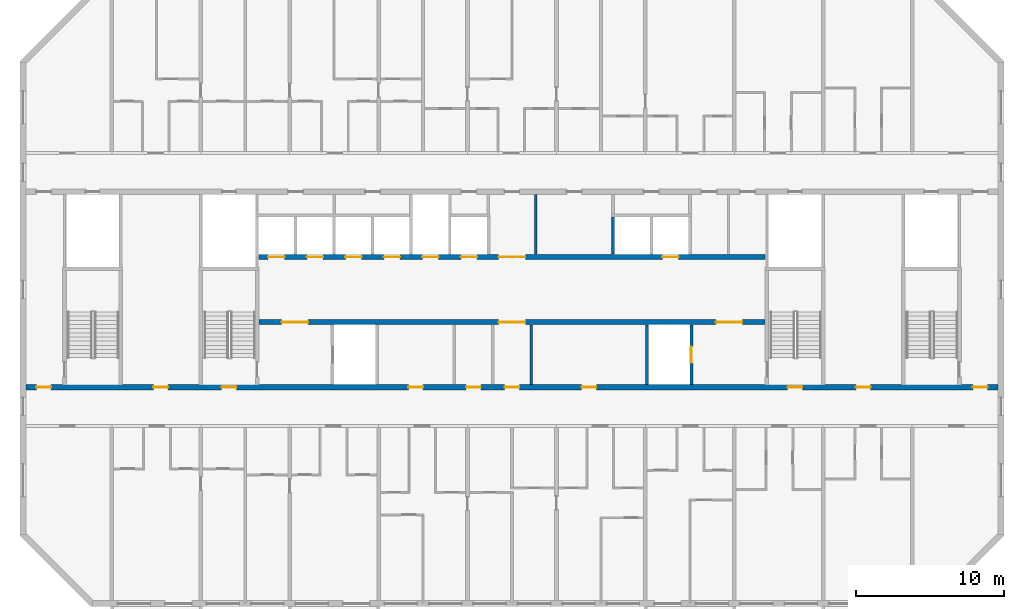
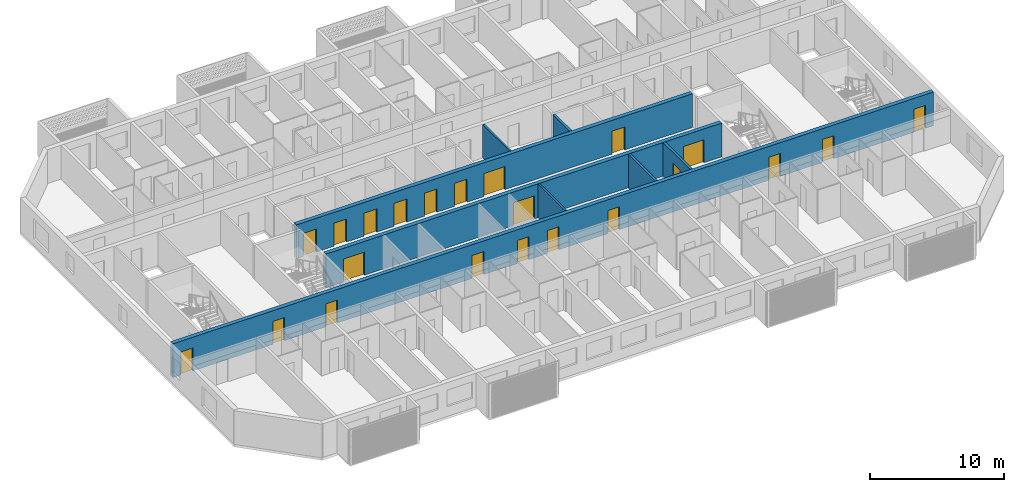
# One storey, part 6 of 26: 22 doors, 8 walls, 22 openings.
"""IFC4 building model written with IfcOpenShell, lengths in metres."""

from ifc_helpers import new_model, si_unit, direction, frame, frame_2d, origin, place, context, subcontext, project, spatial, rectangle, extrude, material, layer, layer_set, type_object, element, fill, save


model = new_model("IFC4")

# Units and contexts
model_context = context("Model", 3, precision=1e-05, world=origin(), true_north=direction((0.0, 1.0)))
body_context = subcontext(model_context, "Body", "Model", "MODEL_VIEW")
ifc_project = project(units=[si_unit("LENGTHUNIT", "METRE"), si_unit("AREAUNIT", "SQUARE_METRE"), si_unit("VOLUMEUNIT", "CUBIC_METRE"), si_unit("PLANEANGLEUNIT", "RADIAN"), si_unit("MASSUNIT", "GRAM", prefix="KILO")], contexts=[model_context])

# Site, building, storey
site_placement = place(None, origin())
site = spatial("IfcSite", under=ifc_project, at=site_placement, CompositionType="ELEMENT")
building_placement = place(site_placement, origin())
building = spatial("IfcBuilding", under=site, at=building_placement, Name="Poui Terraces", CompositionType="ELEMENT")
storey_placement = place(building_placement, frame((0.0, 0.0, 247.800048828125)))
storey = spatial("IfcBuildingStorey", under=building, at=storey_placement, Name="L69", CompositionType="ELEMENT", Elevation=247.800048828125)

# Wall, openings, doors
ifc_material_1 = material(Name="Concrete 50 MPa", Category="concrete")
ifc_layer_1 = layer(ifc_material_1, 0.35009765625)
ifc_layer_set_1 = layer_set([ifc_layer_1], Name="Concrete 50 MPa")
wall_type_1 = type_object("IfcWallType", Name="CORE WALL 350 50 MPA", PredefinedType="SOLIDWALL", material=ifc_layer_set_1)
wall_1_placement = place(storey_placement, frame((33.925048828125, 19.0, 0.0), z_axis=(0.0, 0.0, 1.0), x_axis=(1.0, 0.0, 0.0)))
wall_1 = element("IfcWall", 1, at=wall_1_placement, inside=storey, type_object=wall_type_1, Name="CORE WALL", PredefinedType="SOLIDWALL", context=body_context, shape_type="SweptSolid", body=[
    extrude(rectangle(XDim=34.14990234375, YDim=0.35009765625, at=frame_2d((17.074951171875, 0.0))), origin(), (0.0, 0.0, 1.0), 3.079833984375),
])
opening_1_placement = place(wall_1_placement, frame((16.175048828125, 0.0, 0.0)))
opening_1 = element("IfcOpeningElement", 2, at=opening_1_placement, cuts=wall_1, Name="Opening FDD60", PredefinedType="OPENING", context=body_context, shape_type="SweptSolid", body=[
    extrude(rectangle(XDim=1.800048828125, YDim=2.10009765625, at=frame_2d((0.89990234375, 1.050048828125))), frame((0.0, 0.18505859375, 0.0), z_axis=(0.0, -1.0, 0.0), x_axis=(1.0, 0.0, 0.0)), (0.0, 0.0, 1.0), 0.3701171875),
])
opening_2_placement = place(wall_1_placement, frame((1.52490234375, 0.0, 0.0)))
opening_2 = element("IfcOpeningElement", 3, at=opening_2_placement, cuts=wall_1, Name="Opening FDD60", PredefinedType="OPENING", context=body_context, shape_type="SweptSolid", body=[
    extrude(rectangle(XDim=1.800048828125, YDim=2.10009765625, at=frame_2d((0.89990234375, 1.050048828125))), frame((0.0, 0.18505859375, 0.0), z_axis=(0.0, -1.0, 0.0), x_axis=(1.0, 0.0, 0.0)), (0.0, 0.0, 1.0), 0.3701171875),
])
opening_3_placement = place(wall_1_placement, frame((30.824951171875, 0.0, 0.0)))
opening_3 = element("IfcOpeningElement", 4, at=opening_3_placement, cuts=wall_1, Name="Opening FDD60", PredefinedType="OPENING", context=body_context, shape_type="SweptSolid", body=[
    extrude(rectangle(XDim=1.800048828125, YDim=2.10009765625, at=frame_2d((0.89990234375, 1.050048828125))), frame((0.0, 0.18505859375, 0.0), z_axis=(0.0, -1.0, 0.0), x_axis=(1.0, 0.0, 0.0)), (0.0, 0.0, 1.0), 0.3701171875),
])
ifc_material_2 = material(Name="Steel fire door", Category="steel")
door_type_1 = type_object("IfcDoorType", Name="DOUBLE LOBBY FIRE DOOR 1800 X 2100", OperationType="DOUBLE_DOOR_SINGLE_SWING", PredefinedType="DOOR", material=ifc_material_2)
door_1_placement = place(opening_1_placement, frame((1.800048828125, 0.0, 0.0), z_axis=(0.0, 0.0, 1.0), x_axis=(-1.0, 0.0, 0.0)))
door_1 = element("IfcDoor", 5, at=door_1_placement, inside=storey, type_object=door_type_1, Name="DOUBLE LOBBY FIRE DOOR 100", OperationType="DOUBLE_DOOR_SINGLE_SWING", OverallHeight=2.10009765625, OverallWidth=1.800048828125, PredefinedType="DOOR", context=body_context, shape_type="SweptSolid", body=[
    extrude(rectangle(XDim=1.800048828125, YDim=2.10009765625, at=frame_2d((0.89990234375, 1.050048828125))), frame((0.0, 0.02490234375, 0.0), z_axis=(0.0, -1.0, 0.0), x_axis=(1.0, 0.0, 0.0)), (0.0, 0.0, 1.0), 0.050048828125),
])
fill(opening_1, door_1)
door_2_placement = place(opening_2_placement, origin())
door_2 = element("IfcDoor", 6, at=door_2_placement, inside=storey, type_object=door_type_1, Name="DOUBLE LOBBY FIRE DOOR 102", OperationType="DOUBLE_DOOR_SINGLE_SWING", OverallHeight=2.10009765625, OverallWidth=1.800048828125, PredefinedType="DOOR", context=body_context, shape_type="SweptSolid", body=[
    extrude(rectangle(XDim=1.800048828125, YDim=2.10009765625, at=frame_2d((0.89990234375, 1.050048828125))), frame((0.0, 0.02490234375, 0.0), z_axis=(0.0, -1.0, 0.0), x_axis=(1.0, 0.0, 0.0)), (0.0, 0.0, 1.0), 0.050048828125),
])
fill(opening_2, door_2)
door_3_placement = place(opening_3_placement, origin())
door_3 = element("IfcDoor", 7, at=door_3_placement, inside=storey, type_object=door_type_1, Name="DOUBLE LOBBY FIRE DOOR 109", OperationType="DOUBLE_DOOR_SINGLE_SWING", OverallHeight=2.10009765625, OverallWidth=1.800048828125, PredefinedType="DOOR", context=body_context, shape_type="SweptSolid", body=[
    extrude(rectangle(XDim=1.800048828125, YDim=2.10009765625, at=frame_2d((0.89990234375, 1.050048828125))), frame((0.0, 0.02490234375, 0.0), z_axis=(0.0, -1.0, 0.0), x_axis=(1.0, 0.0, 0.0)), (0.0, 0.0, 1.0), 0.050048828125),
])
fill(opening_3, door_3)

wall_2_placement = place(storey_placement, frame((33.925048828125, 23.39990234375, 0.0), z_axis=(0.0, 0.0, 1.0), x_axis=(1.0, 0.0, 0.0)))
wall_2 = element("IfcWall", 8, at=wall_2_placement, inside=storey, type_object=wall_type_1, Name="CORE WALL", PredefinedType="SOLIDWALL", context=body_context, shape_type="SweptSolid", body=[
    extrude(rectangle(XDim=34.14990234375, YDim=0.35009765625, at=frame_2d((17.074951171875, 0.0))), origin(), (0.0, 0.0, 1.0), 3.079833984375),
])
opening_4_placement = place(wall_2_placement, frame((16.175048828125, 0.0, 0.0)))
opening_4 = element("IfcOpeningElement", 9, at=opening_4_placement, cuts=wall_2, Name="Opening FDD60", PredefinedType="OPENING", context=body_context, shape_type="SweptSolid", body=[
    extrude(rectangle(XDim=1.800048828125, YDim=2.10009765625, at=frame_2d((0.89990234375, 1.050048828125))), frame((0.0, 0.18505859375, 0.0), z_axis=(0.0, -1.0, 0.0), x_axis=(1.0, 0.0, 0.0)), (0.0, 0.0, 1.0), 0.3701171875),
])
opening_5_placement = place(wall_2_placement, frame((0.625, 0.0, 0.0)))
opening_5 = element("IfcOpeningElement", 10, at=opening_5_placement, cuts=wall_2, Name="Opening LD", PredefinedType="OPENING", context=body_context, shape_type="SweptSolid", body=[
    extrude(rectangle(XDim=1.10009765625, YDim=2.10009765625, at=frame_2d((0.550048828125, 1.050048828125))), frame((0.0, 0.18505859375, 0.0), z_axis=(0.0, -1.0, 0.0), x_axis=(1.0, 0.0, 0.0)), (0.0, 0.0, 1.0), 0.3701171875),
])
opening_6_placement = place(wall_2_placement, frame((3.22509765625, 0.0, 0.0)))
opening_6 = element("IfcOpeningElement", 11, at=opening_6_placement, cuts=wall_2, Name="Opening LD", PredefinedType="OPENING", context=body_context, shape_type="SweptSolid", body=[
    extrude(rectangle(XDim=1.10009765625, YDim=2.10009765625, at=frame_2d((0.550048828125, 1.050048828125))), frame((0.0, 0.18505859375, 0.0), z_axis=(0.0, -1.0, 0.0), x_axis=(1.0, 0.0, 0.0)), (0.0, 0.0, 1.0), 0.3701171875),
])
opening_7_placement = place(wall_2_placement, frame((5.824951171875, 0.0, 0.0)))
opening_7 = element("IfcOpeningElement", 12, at=opening_7_placement, cuts=wall_2, Name="Opening LD", PredefinedType="OPENING", context=body_context, shape_type="SweptSolid", body=[
    extrude(rectangle(XDim=1.10009765625, YDim=2.10009765625, at=frame_2d((0.550048828125, 1.050048828125))), frame((0.0, 0.18505859375, 0.0), z_axis=(0.0, -1.0, 0.0), x_axis=(1.0, 0.0, 0.0)), (0.0, 0.0, 1.0), 0.3701171875),
])
opening_8_placement = place(wall_2_placement, frame((8.425048828125, 0.0, 0.0)))
opening_8 = element("IfcOpeningElement", 13, at=opening_8_placement, cuts=wall_2, Name="Opening LD", PredefinedType="OPENING", context=body_context, shape_type="SweptSolid", body=[
    extrude(rectangle(XDim=1.10009765625, YDim=2.10009765625, at=frame_2d((0.550048828125, 1.050048828125))), frame((0.0, 0.18505859375, 0.0), z_axis=(0.0, -1.0, 0.0), x_axis=(1.0, 0.0, 0.0)), (0.0, 0.0, 1.0), 0.3701171875),
])
opening_9_placement = place(wall_2_placement, frame((11.02490234375, 0.0, 0.0)))
opening_9 = element("IfcOpeningElement", 14, at=opening_9_placement, cuts=wall_2, Name="Opening LD", PredefinedType="OPENING", context=body_context, shape_type="SweptSolid", body=[
    extrude(rectangle(XDim=1.10009765625, YDim=2.10009765625, at=frame_2d((0.550048828125, 1.050048828125))), frame((0.0, 0.18505859375, 0.0), z_axis=(0.0, -1.0, 0.0), x_axis=(1.0, 0.0, 0.0)), (0.0, 0.0, 1.0), 0.3701171875),
])
opening_10_placement = place(wall_2_placement, frame((13.625, 0.0, 0.0)))
opening_10 = element("IfcOpeningElement", 15, at=opening_10_placement, cuts=wall_2, Name="Opening LD", PredefinedType="OPENING", context=body_context, shape_type="SweptSolid", body=[
    extrude(rectangle(XDim=1.10009765625, YDim=2.10009765625, at=frame_2d((0.550048828125, 1.050048828125))), frame((0.0, 0.18505859375, 0.0), z_axis=(0.0, -1.0, 0.0), x_axis=(1.0, 0.0, 0.0)), (0.0, 0.0, 1.0), 0.3701171875),
])
opening_11_placement = place(wall_2_placement, frame((27.22509765625, 0.0, 0.0)))
opening_11 = element("IfcOpeningElement", 16, at=opening_11_placement, cuts=wall_2, Name="Opening LD", PredefinedType="OPENING", context=body_context, shape_type="SweptSolid", body=[
    extrude(rectangle(XDim=1.10009765625, YDim=2.10009765625, at=frame_2d((0.550048828125, 1.050048828125))), frame((0.0, 0.18505859375, 0.0), z_axis=(0.0, -1.0, 0.0), x_axis=(1.0, 0.0, 0.0)), (0.0, 0.0, 1.0), 0.3701171875),
])
door_4_placement = place(opening_4_placement, origin())
door_4 = element("IfcDoor", 17, at=door_4_placement, inside=storey, type_object=door_type_1, Name="DOUBLE LOBBY FIRE DOOR 099", OperationType="DOUBLE_DOOR_SINGLE_SWING", OverallHeight=2.10009765625, OverallWidth=1.800048828125, PredefinedType="DOOR", context=body_context, shape_type="SweptSolid", body=[
    extrude(rectangle(XDim=1.800048828125, YDim=2.10009765625, at=frame_2d((0.89990234375, 1.050048828125))), frame((0.0, 0.02490234375, 0.0), z_axis=(0.0, -1.0, 0.0), x_axis=(1.0, 0.0, 0.0)), (0.0, 0.0, 1.0), 0.050048828125),
])
fill(opening_4, door_4)
ifc_material_3 = material(Name="Stainless steel sliding door", Category="steel")
door_type_2 = type_object("IfcDoorType", Name="LIFT LANDING DOOR 1100 X 2100", OperationType="DOUBLE_DOOR_SLIDING", PredefinedType="DOOR", material=ifc_material_3)
door_5_placement = place(opening_5_placement, origin())
door_5 = element("IfcDoor", 18, at=door_5_placement, inside=storey, type_object=door_type_2, Name="LANDING DOOR", OperationType="DOUBLE_DOOR_SLIDING", OverallHeight=2.10009765625, OverallWidth=1.10009765625, PredefinedType="DOOR", context=body_context, shape_type="SweptSolid", body=[
    extrude(rectangle(XDim=1.10009765625, YDim=2.10009765625, at=frame_2d((0.550048828125, 1.050048828125))), frame((0.0, 0.02490234375, 0.0), z_axis=(0.0, -1.0, 0.0), x_axis=(1.0, 0.0, 0.0)), (0.0, 0.0, 1.0), 0.050048828125),
])
fill(opening_5, door_5)
door_6_placement = place(opening_6_placement, origin())
door_6 = element("IfcDoor", 19, at=door_6_placement, inside=storey, type_object=door_type_2, Name="LANDING DOOR", OperationType="DOUBLE_DOOR_SLIDING", OverallHeight=2.10009765625, OverallWidth=1.10009765625, PredefinedType="DOOR", context=body_context, shape_type="SweptSolid", body=[
    extrude(rectangle(XDim=1.10009765625, YDim=2.10009765625, at=frame_2d((0.550048828125, 1.050048828125))), frame((0.0, 0.02490234375, 0.0), z_axis=(0.0, -1.0, 0.0), x_axis=(1.0, 0.0, 0.0)), (0.0, 0.0, 1.0), 0.050048828125),
])
fill(opening_6, door_6)
door_7_placement = place(opening_7_placement, origin())
door_7 = element("IfcDoor", 20, at=door_7_placement, inside=storey, type_object=door_type_2, Name="LANDING DOOR", OperationType="DOUBLE_DOOR_SLIDING", OverallHeight=2.10009765625, OverallWidth=1.10009765625, PredefinedType="DOOR", context=body_context, shape_type="SweptSolid", body=[
    extrude(rectangle(XDim=1.10009765625, YDim=2.10009765625, at=frame_2d((0.550048828125, 1.050048828125))), frame((0.0, 0.02490234375, 0.0), z_axis=(0.0, -1.0, 0.0), x_axis=(1.0, 0.0, 0.0)), (0.0, 0.0, 1.0), 0.050048828125),
])
fill(opening_7, door_7)
door_8_placement = place(opening_8_placement, origin())
door_8 = element("IfcDoor", 21, at=door_8_placement, inside=storey, type_object=door_type_2, Name="LANDING DOOR", OperationType="DOUBLE_DOOR_SLIDING", OverallHeight=2.10009765625, OverallWidth=1.10009765625, PredefinedType="DOOR", context=body_context, shape_type="SweptSolid", body=[
    extrude(rectangle(XDim=1.10009765625, YDim=2.10009765625, at=frame_2d((0.550048828125, 1.050048828125))), frame((0.0, 0.02490234375, 0.0), z_axis=(0.0, -1.0, 0.0), x_axis=(1.0, 0.0, 0.0)), (0.0, 0.0, 1.0), 0.050048828125),
])
fill(opening_8, door_8)
door_9_placement = place(opening_9_placement, origin())
door_9 = element("IfcDoor", 22, at=door_9_placement, inside=storey, type_object=door_type_2, Name="LANDING DOOR", OperationType="DOUBLE_DOOR_SLIDING", OverallHeight=2.10009765625, OverallWidth=1.10009765625, PredefinedType="DOOR", context=body_context, shape_type="SweptSolid", body=[
    extrude(rectangle(XDim=1.10009765625, YDim=2.10009765625, at=frame_2d((0.550048828125, 1.050048828125))), frame((0.0, 0.02490234375, 0.0), z_axis=(0.0, -1.0, 0.0), x_axis=(1.0, 0.0, 0.0)), (0.0, 0.0, 1.0), 0.050048828125),
])
fill(opening_9, door_9)
door_10_placement = place(opening_10_placement, origin())
door_10 = element("IfcDoor", 23, at=door_10_placement, inside=storey, type_object=door_type_2, Name="LANDING DOOR", OperationType="DOUBLE_DOOR_SLIDING", OverallHeight=2.10009765625, OverallWidth=1.10009765625, PredefinedType="DOOR", context=body_context, shape_type="SweptSolid", body=[
    extrude(rectangle(XDim=1.10009765625, YDim=2.10009765625, at=frame_2d((0.550048828125, 1.050048828125))), frame((0.0, 0.02490234375, 0.0), z_axis=(0.0, -1.0, 0.0), x_axis=(1.0, 0.0, 0.0)), (0.0, 0.0, 1.0), 0.050048828125),
])
fill(opening_10, door_10)
door_11_placement = place(opening_11_placement, origin())
door_11 = element("IfcDoor", 24, at=door_11_placement, inside=storey, type_object=door_type_2, Name="LANDING DOOR", OperationType="DOUBLE_DOOR_SLIDING", OverallHeight=2.10009765625, OverallWidth=1.10009765625, PredefinedType="DOOR", context=body_context, shape_type="SweptSolid", body=[
    extrude(rectangle(XDim=1.10009765625, YDim=2.10009765625, at=frame_2d((0.550048828125, 1.050048828125))), frame((0.0, 0.02490234375, 0.0), z_axis=(0.0, -1.0, 0.0), x_axis=(1.0, 0.0, 0.0)), (0.0, 0.0, 1.0), 0.050048828125),
])
fill(opening_11, door_11)

# Walls
ifc_material_4 = material(Name="Fire-rated plasterboard wall")
ifc_layer_2 = layer(ifc_material_4, 0.14990234375)
ifc_layer_set_2 = layer_set([ifc_layer_2], Name="Fire-rated plasterboard wall")
wall_type_2 = type_object("IfcWallType", Name="CORRIDOR WALL 150", PredefinedType="PARTITIONING", material=ifc_layer_set_2)
for number, where, z_axis, x_axis, name in (
    (25, (52.300048828125, 14.784912109375, 0.0), (0.0, 0.0, 1.0), (0.0, 1.0, 0.0), "CORRIDOR WALL 150"),
    (26, (52.60009765625, 23.5849609375, 0.0), (0.0, 0.0, 1.0), (0.0, 1.0, 0.0), "CORRIDOR WALL 150"),
):
    element("IfcWall", number, at=place(storey_placement, frame(where, z_axis=z_axis, x_axis=x_axis)), inside=storey, type_object=wall_type_2, Name=name, PredefinedType="PARTITIONING", context=body_context, shape_type="SweptSolid", body=[
        extrude(rectangle(XDim=4.030029296875, YDim=0.14990234375, at=frame_2d((2.01513671875, 0.0))), origin(), (0.0, 0.0, 1.0), 3.079833984375),
    ])
ifc_material_5 = material(Name="Fire-rated masonry shaft wall", Category="masonry")
ifc_layer_3 = layer(ifc_material_5, 0.199951171875)
ifc_layer_set_3 = layer_set([ifc_layer_3], Name="Fire-rated masonry shaft wall")
wall_type_3 = type_object("IfcWallType", Name="SHAFT WALL 200", PredefinedType="PARTITIONING", material=ifc_layer_set_3)
wall_3_placement = place(storey_placement, frame((57.800048828125, 23.5849609375, 0.0), z_axis=(0.0, 0.0, 1.0), x_axis=(0.0, 1.0, 0.0)))
element("IfcWall", 27, at=wall_3_placement, inside=storey, type_object=wall_type_3, Name="SHAFT WALL 200", PredefinedType="PARTITIONING", context=body_context, shape_type="SweptSolid", body=[
    extrude(rectangle(XDim=2.51513671875, YDim=0.199951171875, at=frame_2d((1.257568359375, 0.0))), origin(), (0.0, 0.0, 1.0), 3.079833984375),
])
wall_4_placement = place(storey_placement, frame((60.10009765625, 14.784912109375, 0.0), z_axis=(0.0, 0.0, 1.0), x_axis=(0.0, 1.0, 0.0)))
element("IfcWall", 28, at=wall_4_placement, inside=storey, type_object=wall_type_3, Name="SHAFT WALL 200", PredefinedType="PARTITIONING", context=body_context, shape_type="SweptSolid", body=[
    extrude(rectangle(XDim=4.030029296875, YDim=0.199951171875, at=frame_2d((2.01513671875, 0.0))), origin(), (0.0, 0.0, 1.0), 3.079833984375),
])

# Wall, opening, door
wall_5_placement = place(storey_placement, frame((63.10009765625, 14.784912109375, 0.0), z_axis=(0.0, 0.0, 1.0), x_axis=(0.0, 1.0, 0.0)))
wall_5 = element("IfcWall", 29, at=wall_5_placement, inside=storey, type_object=wall_type_3, Name="SHAFT WALL 200", PredefinedType="PARTITIONING", context=body_context, shape_type="SweptSolid", body=[
    extrude(rectangle(XDim=4.030029296875, YDim=0.199951171875, at=frame_2d((2.01513671875, 0.0))), origin(), (0.0, 0.0, 1.0), 3.079833984375),
])
opening_12_placement = place(wall_5_placement, frame((1.465087890625, 0.0, 0.0)))
opening_12 = element("IfcOpeningElement", 30, at=opening_12_placement, cuts=wall_5, Name="Opening LD", PredefinedType="OPENING", context=body_context, shape_type="SweptSolid", body=[
    extrude(rectangle(XDim=1.10009765625, YDim=2.10009765625, at=frame_2d((0.550048828125, 1.050048828125))), frame((0.0, 0.10986328125, 0.0), z_axis=(0.0, -1.0, 0.0), x_axis=(1.0, 0.0, 0.0)), (0.0, 0.0, 1.0), 0.219970703125),
])
door_12_placement = place(opening_12_placement, origin())
door_12 = element("IfcDoor", 31, at=door_12_placement, inside=storey, type_object=door_type_2, Name="LANDING DOOR", OperationType="DOUBLE_DOOR_SLIDING", OverallHeight=2.10009765625, OverallWidth=1.10009765625, PredefinedType="DOOR", context=body_context, shape_type="SweptSolid", body=[
    extrude(rectangle(XDim=1.10009765625, YDim=2.10009765625, at=frame_2d((0.550048828125, 1.050048828125))), frame((0.0, 0.02490234375, 0.0), z_axis=(0.0, -1.0, 0.0), x_axis=(1.0, 0.0, 0.0)), (0.0, 0.0, 1.0), 0.050048828125),
])
fill(opening_12, door_12)

# Wall, openings, doors
ifc_layer_4 = layer(ifc_material_1, 0.35009765625)
ifc_layer_set_4 = layer_set([ifc_layer_4], Name="Concrete 50 MPa")
wall_type_4 = type_object("IfcWallType", Name="SPINE WALL 350 50 MPA", PredefinedType="SOLIDWALL", material=ifc_layer_set_4)
wall_6_placement = place(storey_placement, frame((18.199951171875, 14.60009765625, 0.0), z_axis=(0.0, 0.0, 1.0), x_axis=(1.0, 0.0, 0.0)))
wall_6 = element("IfcWall", 32, at=wall_6_placement, inside=storey, type_object=wall_type_4, Name="SPINE WALL", PredefinedType="SOLIDWALL", context=body_context, shape_type="SweptSolid", body=[
    extrude(rectangle(XDim=65.60009765625, YDim=0.35009765625, at=frame_2d((32.800048828125, 0.0))), origin(), (0.0, 0.0, 1.0), 3.079833984375),
])
opening_13_placement = place(wall_6_placement, frame((0.699951171875, 0.0, 0.0)))
opening_13 = element("IfcOpeningElement", 33, at=opening_13_placement, cuts=wall_6, Name="Opening FDL", PredefinedType="OPENING", context=body_context, shape_type="SweptSolid", body=[
    extrude(rectangle(XDim=1.0, YDim=2.10009765625, at=frame_2d((0.5, 1.050048828125))), frame((0.0, 0.18505859375, 0.0), z_axis=(0.0, -1.0, 0.0), x_axis=(1.0, 0.0, 0.0)), (0.0, 0.0, 1.0), 0.3701171875),
])
opening_14_placement = place(wall_6_placement, frame((8.60009765625, 0.0, 0.0)))
opening_14 = element("IfcOpeningElement", 34, at=opening_14_placement, cuts=wall_6, Name="Opening D100", PredefinedType="OPENING", context=body_context, shape_type="SweptSolid", body=[
    extrude(rectangle(XDim=1.0, YDim=2.10009765625, at=frame_2d((0.5, 1.050048828125))), frame((0.0, 0.18505859375, 0.0), z_axis=(0.0, -1.0, 0.0), x_axis=(1.0, 0.0, 0.0)), (0.0, 0.0, 1.0), 0.3701171875),
])
opening_15_placement = place(wall_6_placement, frame((13.199951171875, 0.0, 0.0)))
opening_15 = element("IfcOpeningElement", 35, at=opening_15_placement, cuts=wall_6, Name="Opening FD60S", PredefinedType="OPENING", context=body_context, shape_type="SweptSolid", body=[
    extrude(rectangle(XDim=1.0, YDim=2.10009765625, at=frame_2d((0.5, 1.050048828125))), frame((0.0, 0.18505859375, 0.0), z_axis=(0.0, -1.0, 0.0), x_axis=(1.0, 0.0, 0.0)), (0.0, 0.0, 1.0), 0.3701171875),
])
opening_16_placement = place(wall_6_placement, frame((25.800048828125, 0.0, 0.0)))
opening_16 = element("IfcOpeningElement", 36, at=opening_16_placement, cuts=wall_6, Name="Opening FD60", PredefinedType="OPENING", context=body_context, shape_type="SweptSolid", body=[
    extrude(rectangle(XDim=1.0, YDim=2.10009765625, at=frame_2d((0.5, 1.050048828125))), frame((0.0, 0.18505859375, 0.0), z_axis=(0.0, -1.0, 0.0), x_axis=(1.0, 0.0, 0.0)), (0.0, 0.0, 1.0), 0.3701171875),
])
opening_17_placement = place(wall_6_placement, frame((29.699951171875, 0.0, 0.0)))
opening_17 = element("IfcOpeningElement", 37, at=opening_17_placement, cuts=wall_6, Name="Opening FD60", PredefinedType="OPENING", context=body_context, shape_type="SweptSolid", body=[
    extrude(rectangle(XDim=1.0, YDim=2.10009765625, at=frame_2d((0.5, 1.050048828125))), frame((0.0, 0.18505859375, 0.0), z_axis=(0.0, -1.0, 0.0), x_axis=(1.0, 0.0, 0.0)), (0.0, 0.0, 1.0), 0.3701171875),
])
opening_18_placement = place(wall_6_placement, frame((32.300048828125, 0.0, 0.0)))
opening_18 = element("IfcOpeningElement", 38, at=opening_18_placement, cuts=wall_6, Name="Opening FDL", PredefinedType="OPENING", context=body_context, shape_type="SweptSolid", body=[
    extrude(rectangle(XDim=1.0, YDim=2.10009765625, at=frame_2d((0.5, 1.050048828125))), frame((0.0, 0.18505859375, 0.0), z_axis=(0.0, -1.0, 0.0), x_axis=(1.0, 0.0, 0.0)), (0.0, 0.0, 1.0), 0.3701171875),
])
opening_19_placement = place(wall_6_placement, frame((37.5, 0.0, 0.0)))
opening_19 = element("IfcOpeningElement", 39, at=opening_19_placement, cuts=wall_6, Name="Opening FD60", PredefinedType="OPENING", context=body_context, shape_type="SweptSolid", body=[
    extrude(rectangle(XDim=1.0, YDim=2.10009765625, at=frame_2d((0.5, 1.050048828125))), frame((0.0, 0.18505859375, 0.0), z_axis=(0.0, -1.0, 0.0), x_axis=(1.0, 0.0, 0.0)), (0.0, 0.0, 1.0), 0.3701171875),
])
opening_20_placement = place(wall_6_placement, frame((51.39990234375, 0.0, 0.0)))
opening_20 = element("IfcOpeningElement", 40, at=opening_20_placement, cuts=wall_6, Name="Opening FD60S", PredefinedType="OPENING", context=body_context, shape_type="SweptSolid", body=[
    extrude(rectangle(XDim=1.0, YDim=2.10009765625, at=frame_2d((0.5, 1.050048828125))), frame((0.0, 0.18505859375, 0.0), z_axis=(0.0, -1.0, 0.0), x_axis=(1.0, 0.0, 0.0)), (0.0, 0.0, 1.0), 0.3701171875),
])
opening_21_placement = place(wall_6_placement, frame((56.0, 0.0, 0.0)))
opening_21 = element("IfcOpeningElement", 41, at=opening_21_placement, cuts=wall_6, Name="Opening D100", PredefinedType="OPENING", context=body_context, shape_type="SweptSolid", body=[
    extrude(rectangle(XDim=1.0, YDim=2.10009765625, at=frame_2d((0.5, 1.050048828125))), frame((0.0, 0.18505859375, 0.0), z_axis=(0.0, -1.0, 0.0), x_axis=(1.0, 0.0, 0.0)), (0.0, 0.0, 1.0), 0.3701171875),
])
opening_22_placement = place(wall_6_placement, frame((63.89990234375, 0.0, 0.0)))
opening_22 = element("IfcOpeningElement", 42, at=opening_22_placement, cuts=wall_6, Name="Opening FDL", PredefinedType="OPENING", context=body_context, shape_type="SweptSolid", body=[
    extrude(rectangle(XDim=1.0, YDim=2.10009765625, at=frame_2d((0.5, 1.050048828125))), frame((0.0, 0.18505859375, 0.0), z_axis=(0.0, -1.0, 0.0), x_axis=(1.0, 0.0, 0.0)), (0.0, 0.0, 1.0), 0.3701171875),
])
ifc_material_6 = material(Name="Solid core timber door", Category="wood")
door_type_3 = type_object("IfcDoorType", Name="ACCESSIBLE INTERNAL DOOR 1000 X 2100", OperationType="NOTDEFINED", PredefinedType="DOOR", material=ifc_material_6)
door_13_placement = place(opening_14_placement, frame((1.0, 0.0, 0.0), z_axis=(0.0, 0.0, 1.0), x_axis=(-1.0, 0.0, 0.0)))
door_13 = element("IfcDoor", 43, at=door_13_placement, inside=storey, type_object=door_type_3, Name="ACCESSIBLE INTERNAL DOOR 016", OperationType="SINGLE_SWING_LEFT", OverallHeight=2.10009765625, OverallWidth=1.0, PredefinedType="DOOR", context=body_context, shape_type="SweptSolid", body=[
    extrude(rectangle(XDim=1.0, YDim=2.10009765625, at=frame_2d((0.5, 1.050048828125))), frame((0.0, 0.02490234375, 0.0), z_axis=(0.0, -1.0, 0.0), x_axis=(1.0, 0.0, 0.0)), (0.0, 0.0, 1.0), 0.050048828125),
])
fill(opening_14, door_13)
door_14_placement = place(opening_21_placement, frame((1.0, 0.0, 0.0), z_axis=(0.0, 0.0, 1.0), x_axis=(-1.0, 0.0, 0.0)))
door_14 = element("IfcDoor", 44, at=door_14_placement, inside=storey, type_object=door_type_3, Name="ACCESSIBLE INTERNAL DOOR 023", OperationType="SINGLE_SWING_RIGHT", OverallHeight=2.10009765625, OverallWidth=1.0, PredefinedType="DOOR", context=body_context, shape_type="SweptSolid", body=[
    extrude(rectangle(XDim=1.0, YDim=2.10009765625, at=frame_2d((0.5, 1.050048828125))), frame((0.0, 0.02490234375, 0.0), z_axis=(0.0, -1.0, 0.0), x_axis=(1.0, 0.0, 0.0)), (0.0, 0.0, 1.0), 0.050048828125),
])
fill(opening_21, door_14)
door_type_4 = type_object("IfcDoorType", Name="LOBBY FIRE DOOR 1000 X 2100", OperationType="NOTDEFINED", PredefinedType="DOOR", material=ifc_material_2)
door_15_placement = place(opening_13_placement, frame((1.0, 0.0, 0.0), z_axis=(0.0, 0.0, 1.0), x_axis=(-1.0, 0.0, 0.0)))
door_15 = element("IfcDoor", 45, at=door_15_placement, inside=storey, type_object=door_type_4, Name="LOBBY FIRE DOOR 015", OperationType="SINGLE_SWING_RIGHT", OverallHeight=2.10009765625, OverallWidth=1.0, PredefinedType="DOOR", context=body_context, shape_type="SweptSolid", body=[
    extrude(rectangle(XDim=1.0, YDim=2.10009765625, at=frame_2d((0.5, 1.050048828125))), frame((0.0, 0.02490234375, 0.0), z_axis=(0.0, -1.0, 0.0), x_axis=(1.0, 0.0, 0.0)), (0.0, 0.0, 1.0), 0.050048828125),
])
fill(opening_13, door_15)
door_16_placement = place(opening_18_placement, frame((1.0, 0.0, 0.0), z_axis=(0.0, 0.0, 1.0), x_axis=(-1.0, 0.0, 0.0)))
door_16 = element("IfcDoor", 46, at=door_16_placement, inside=storey, type_object=door_type_4, Name="LOBBY FIRE DOOR 020", OperationType="SINGLE_SWING_LEFT", OverallHeight=2.10009765625, OverallWidth=1.0, PredefinedType="DOOR", context=body_context, shape_type="SweptSolid", body=[
    extrude(rectangle(XDim=1.0, YDim=2.10009765625, at=frame_2d((0.5, 1.050048828125))), frame((0.0, 0.02490234375, 0.0), z_axis=(0.0, -1.0, 0.0), x_axis=(1.0, 0.0, 0.0)), (0.0, 0.0, 1.0), 0.050048828125),
])
fill(opening_18, door_16)
door_17_placement = place(opening_22_placement, frame((1.0, 0.0, 0.0), z_axis=(0.0, 0.0, 1.0), x_axis=(-1.0, 0.0, 0.0)))
door_17 = element("IfcDoor", 47, at=door_17_placement, inside=storey, type_object=door_type_4, Name="LOBBY FIRE DOOR 024", OperationType="SINGLE_SWING_LEFT", OverallHeight=2.10009765625, OverallWidth=1.0, PredefinedType="DOOR", context=body_context, shape_type="SweptSolid", body=[
    extrude(rectangle(XDim=1.0, YDim=2.10009765625, at=frame_2d((0.5, 1.050048828125))), frame((0.0, 0.02490234375, 0.0), z_axis=(0.0, -1.0, 0.0), x_axis=(1.0, 0.0, 0.0)), (0.0, 0.0, 1.0), 0.050048828125),
])
fill(opening_22, door_17)
door_type_5 = type_object("IfcDoorType", Name="SERVICE ROOM FIRE DOOR 1000 X 2100", OperationType="NOTDEFINED", PredefinedType="DOOR", material=ifc_material_2)
door_18_placement = place(opening_16_placement, frame((1.0, 0.0, 0.0), z_axis=(0.0, 0.0, 1.0), x_axis=(-1.0, 0.0, 0.0)))
door_18 = element("IfcDoor", 48, at=door_18_placement, inside=storey, type_object=door_type_5, Name="SERVICE ROOM FIRE DOOR 018", OperationType="SINGLE_SWING_LEFT", OverallHeight=2.10009765625, OverallWidth=1.0, PredefinedType="DOOR", context=body_context, shape_type="SweptSolid", body=[
    extrude(rectangle(XDim=1.0, YDim=2.10009765625, at=frame_2d((0.5, 1.050048828125))), frame((0.0, 0.02490234375, 0.0), z_axis=(0.0, -1.0, 0.0), x_axis=(1.0, 0.0, 0.0)), (0.0, 0.0, 1.0), 0.050048828125),
])
fill(opening_16, door_18)
door_19_placement = place(opening_17_placement, frame((1.0, 0.0, 0.0), z_axis=(0.0, 0.0, 1.0), x_axis=(-1.0, 0.0, 0.0)))
door_19 = element("IfcDoor", 49, at=door_19_placement, inside=storey, type_object=door_type_5, Name="SERVICE ROOM FIRE DOOR 019", OperationType="SINGLE_SWING_RIGHT", OverallHeight=2.10009765625, OverallWidth=1.0, PredefinedType="DOOR", context=body_context, shape_type="SweptSolid", body=[
    extrude(rectangle(XDim=1.0, YDim=2.10009765625, at=frame_2d((0.5, 1.050048828125))), frame((0.0, 0.02490234375, 0.0), z_axis=(0.0, -1.0, 0.0), x_axis=(1.0, 0.0, 0.0)), (0.0, 0.0, 1.0), 0.050048828125),
])
fill(opening_17, door_19)
door_20_placement = place(opening_19_placement, frame((1.0, 0.0, 0.0), z_axis=(0.0, 0.0, 1.0), x_axis=(-1.0, 0.0, 0.0)))
door_20 = element("IfcDoor", 50, at=door_20_placement, inside=storey, type_object=door_type_5, Name="SERVICE ROOM FIRE DOOR 021", OperationType="SINGLE_SWING_LEFT", OverallHeight=2.10009765625, OverallWidth=1.0, PredefinedType="DOOR", context=body_context, shape_type="SweptSolid", body=[
    extrude(rectangle(XDim=1.0, YDim=2.10009765625, at=frame_2d((0.5, 1.050048828125))), frame((0.0, 0.02490234375, 0.0), z_axis=(0.0, -1.0, 0.0), x_axis=(1.0, 0.0, 0.0)), (0.0, 0.0, 1.0), 0.050048828125),
])
fill(opening_19, door_20)
door_type_6 = type_object("IfcDoorType", Name="STAIR DOOR 1000 X 2100", OperationType="NOTDEFINED", PredefinedType="DOOR", material=ifc_material_2)
door_21_placement = place(opening_15_placement, origin())
door_21 = element("IfcDoor", 51, at=door_21_placement, inside=storey, type_object=door_type_6, Name="STAIR DOOR 017", OperationType="SINGLE_SWING_RIGHT", OverallHeight=2.10009765625, OverallWidth=1.0, PredefinedType="DOOR", context=body_context, shape_type="SweptSolid", body=[
    extrude(rectangle(XDim=1.0, YDim=2.10009765625, at=frame_2d((0.5, 1.050048828125))), frame((0.0, 0.02490234375, 0.0), z_axis=(0.0, -1.0, 0.0), x_axis=(1.0, 0.0, 0.0)), (0.0, 0.0, 1.0), 0.050048828125),
])
fill(opening_15, door_21)
door_22_placement = place(opening_20_placement, origin())
door_22 = element("IfcDoor", 52, at=door_22_placement, inside=storey, type_object=door_type_6, Name="STAIR DOOR 022", OperationType="SINGLE_SWING_RIGHT", OverallHeight=2.10009765625, OverallWidth=1.0, PredefinedType="DOOR", context=body_context, shape_type="SweptSolid", body=[
    extrude(rectangle(XDim=1.0, YDim=2.10009765625, at=frame_2d((0.5, 1.050048828125))), frame((0.0, 0.02490234375, 0.0), z_axis=(0.0, -1.0, 0.0), x_axis=(1.0, 0.0, 0.0)), (0.0, 0.0, 1.0), 0.050048828125),
])
fill(opening_20, door_22)

save(model, "model.ifc")
